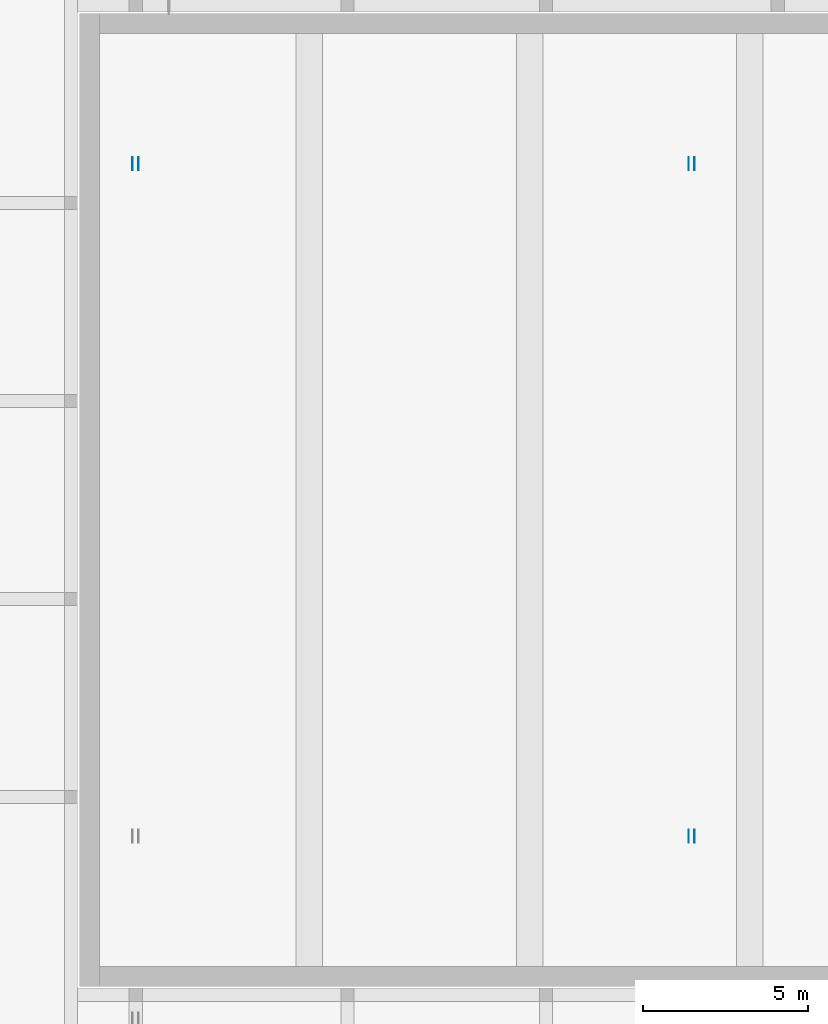
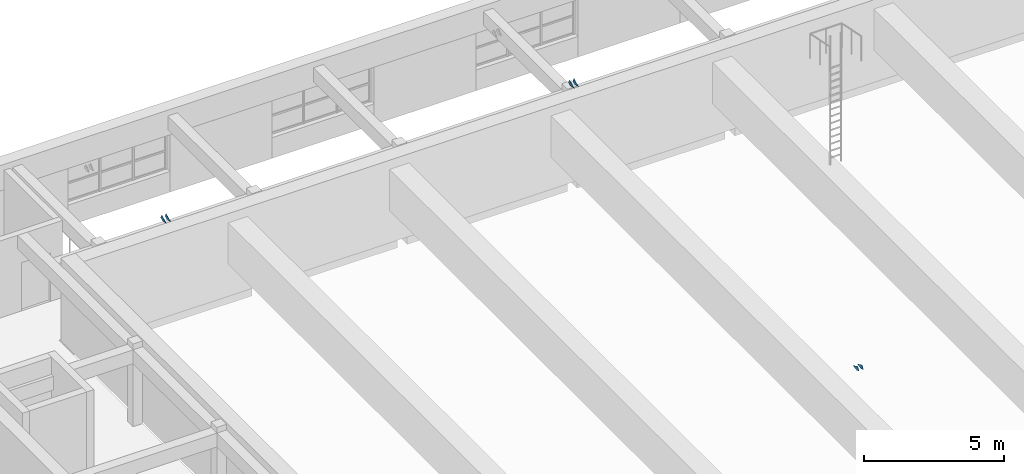
# One storey, part 16 of 28: 6 discrete accessories.
"""IFC4 building model written with IfcOpenShell, lengths in metres."""

from ifc_helpers import new_model, si_unit, direction, frame, origin, place, context, subcontext, project, spatial, polyline, outline, extrude, material, layer, layer_set, type_object, element, save


model = new_model("IFC4")

# Units and contexts
model_context = context("Model", 3, precision=1e-05, world=origin(), true_north=direction((0.0, 1.0)))
body_context = subcontext(model_context, "Body", "Model", "MODEL_VIEW")
ifc_project = project(units=[si_unit("LENGTHUNIT", "METRE"), si_unit("AREAUNIT", "SQUARE_METRE"), si_unit("VOLUMEUNIT", "CUBIC_METRE"), si_unit("PLANEANGLEUNIT", "RADIAN"), si_unit("MASSUNIT", "GRAM", prefix="KILO")], contexts=[model_context])

# Site, building, storey
site_placement = place(None, origin())
site = spatial("IfcSite", under=ifc_project, at=site_placement, CompositionType="ELEMENT")
building_placement = place(site_placement, origin())
building = spatial("IfcBuilding", under=site, at=building_placement, Name="Ljudholm Concert House", CompositionType="ELEMENT")
storey_placement = place(building_placement, frame((0.0, 0.0, 19.199951171875)))
storey = spatial("IfcBuildingStorey", under=building, at=storey_placement, Name="L04", CompositionType="ELEMENT", Elevation=19.199951171875)

# Discrete accessories
ifc_material = material(Name="Steel ASTM A36 plate", Category="steel")
ifc_layer = layer(ifc_material, 0.011962890625)
ifc_layer_set = layer_set([ifc_layer], Name="Steel ASTM A36 plate")
discrete_accessory_type = type_object("IfcDiscreteAccessoryType", Name="GUSSET PLATE 12", PredefinedType="BRACKET", material=ifc_layer_set)
for number, where, z_axis, x_axis, name in (
    (1, (37.690185546875, 96.359375, -19.199951171875), (0.0, 0.0, 1.0), (0.0, -1.0, 0.0), "Gusset plate"),
    (2, (37.510009765625, 96.359375, -19.199951171875), (0.0, 0.0, 1.0), (0.0, -1.0, 0.0), "Gusset plate"),
    (3, (54.309814453125, 54.440673828125, -19.199951171875), (0.0, 0.0, 1.0), (0.0, 1.0, 0.0), "Gusset plate"),
    (4, (54.489990234375, 54.440673828125, -19.199951171875), (0.0, 0.0, 1.0), (0.0, 1.0, 0.0), "Gusset plate"),
    (5, (54.489990234375, 96.359375, -19.199951171875), (0.0, 0.0, 1.0), (0.0, -1.0, 0.0), "Gusset plate"),
    (6, (54.309814453125, 96.359375, -19.199951171875), (0.0, 0.0, 1.0), (0.0, -1.0, 0.0), "Gusset plate"),
):
    element("IfcDiscreteAccessory", number, at=place(storey_placement, frame(where, z_axis=z_axis, x_axis=x_axis)), inside=storey, type_object=discrete_accessory_type, Name=name, PredefinedType="BRACKET", context=body_context, shape_type="SweptSolid", body=[
        extrude(outline(polyline([(10.67529296875, 26.78369140625), (11.003662109375, 26.620849609375), (10.735107421875, 26.566162109375), (10.6005859375, 26.6328125), (10.67529296875, 26.78369140625)])), frame((0.0, 0.005859375, 0.0), z_axis=(0.0, -1.0, 0.0), x_axis=(1.0, 0.0, 0.0)), (0.0, 0.0, 1.0), 0.011962890625),
    ])

save(model, "model.ifc")
